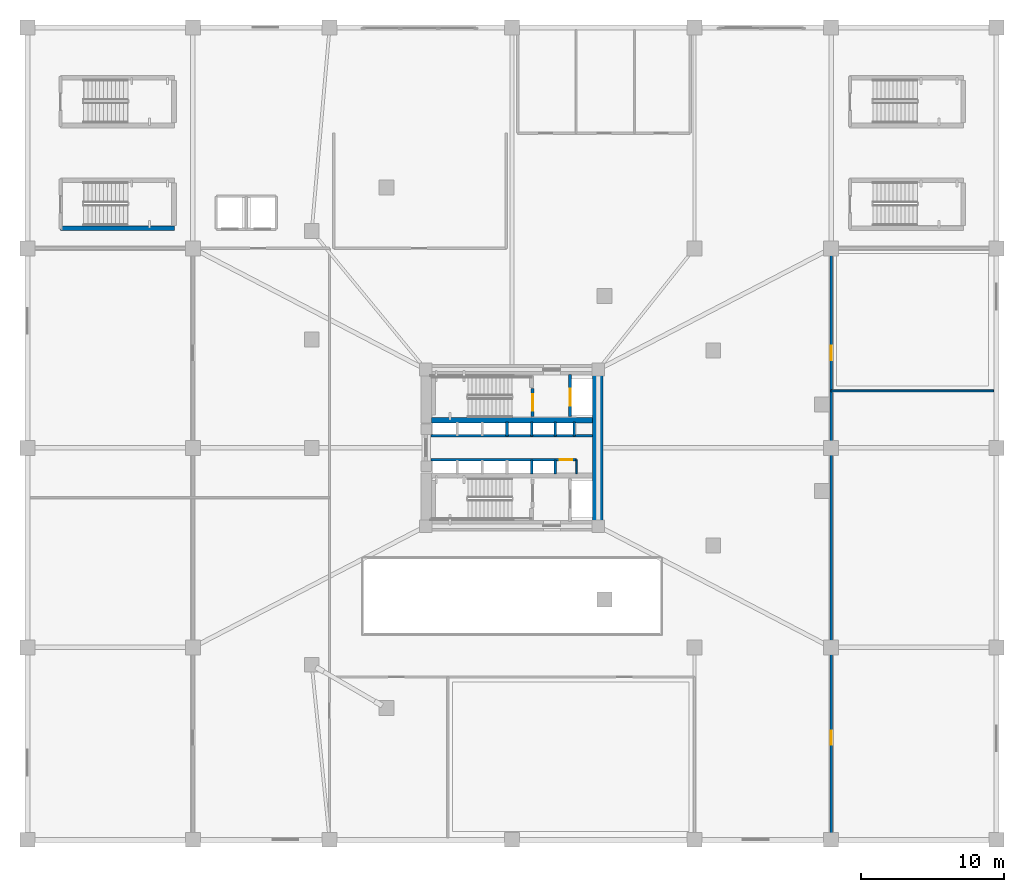
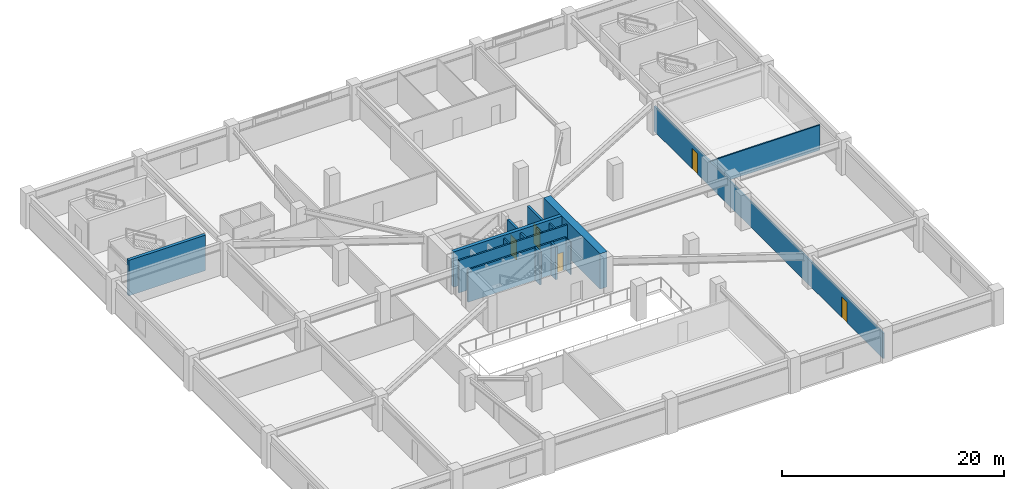
# One storey, part 5 of 15: 16 walls, 5 doors, 5 openings.
"""IFC4 building model written with IfcOpenShell, lengths in metres."""

from ifc_helpers import new_model, si_unit, direction, frame, frame_2d, origin, place, context, subcontext, project, spatial, rectangle, extrude, material, layer, layer_set, type_object, element, fill, save


model = new_model("IFC4")

# Units and contexts
model_context = context("Model", 3, precision=1e-05, world=origin(), true_north=direction((0.0, 1.0)))
body_context = subcontext(model_context, "Body", "Model", "MODEL_VIEW")
ifc_project = project(units=[si_unit("LENGTHUNIT", "METRE"), si_unit("AREAUNIT", "SQUARE_METRE"), si_unit("VOLUMEUNIT", "CUBIC_METRE"), si_unit("PLANEANGLEUNIT", "RADIAN"), si_unit("MASSUNIT", "GRAM", prefix="KILO")], contexts=[model_context])

# Site, building, storey
site_placement = place(None, origin())
site = spatial("IfcSite", under=ifc_project, at=site_placement, CompositionType="ELEMENT")
building_placement = place(site_placement, origin())
building = spatial("IfcBuilding", under=site, at=building_placement, Name="Yunling Apex Tower", CompositionType="ELEMENT")
storey_placement = place(building_placement, frame((0.0, 0.0, 12.300048828125)))
storey = spatial("IfcBuildingStorey", under=building, at=storey_placement, Name="L04", CompositionType="ELEMENT", Elevation=12.300048828125)

# Walls
ifc_material_1 = material(Name="Concrete C60", Category="concrete")
ifc_layer_1 = layer(ifc_material_1, 0.75)
ifc_layer_set_1 = layer_set([ifc_layer_1], Name="Concrete C60")
wall_type_1 = type_object("IfcWallType", Name="WL-COR-1", PredefinedType="SHEAR", material=ifc_layer_set_1)
wall_1_placement = place(storey_placement, frame((6.02490234375, -5.10009765625, 0.0), z_axis=(0.0, 0.0, 1.0), x_axis=(0.0, 1.0, 0.0)))
element("IfcWall", 1, at=wall_1_placement, inside=storey, type_object=wall_type_1, Name="L04 East Core Shear Wall", PredefinedType="SHEAR", context=body_context, shape_type="SweptSolid", body=[
    extrude(rectangle(XDim=10.2001953125, YDim=0.75, at=frame_2d((5.10009765625, 0.0))), origin(), (0.0, 0.0, 1.0), 3.89990234375),
])
ifc_material_2 = material(Name="Concrete C40", Category="concrete")
ifc_layer_2 = layer(ifc_material_2, 0.360107421875)
ifc_layer_set_2 = layer_set([ifc_layer_2], Name="Concrete C40")
wall_type_2 = type_object("IfcWallType", Name="WL-COR-4", PredefinedType="SHEAR", material=ifc_layer_set_2)
wall_2_placement = place(storey_placement, frame((-5.64990234375, 1.93994140625, 0.0), z_axis=(0.0, 0.0, 1.0), x_axis=(1.0, 0.0, 0.0)))
element("IfcWall", 2, at=wall_2_placement, inside=storey, type_object=wall_type_2, Name="L04 North Internal Core Shear Wall", PredefinedType="SHEAR", context=body_context, shape_type="SweptSolid", body=[
    extrude(rectangle(XDim=11.2998046875, YDim=0.360107421875, at=frame_2d((5.64990234375, 0.0))), origin(), (0.0, 0.0, 1.0), 3.89990234375),
])
ifc_layer_3 = layer(ifc_material_2, 0.320068359375)
ifc_layer_set_3 = layer_set([ifc_layer_3], Name="Concrete C40")
wall_type_3 = type_object("IfcWallType", Name="WL-COR-7", PredefinedType="SHEAR", material=ifc_layer_set_3)
wall_3_placement = place(storey_placement, frame((-31.699951171875, 15.419921875, 0.0), z_axis=(0.0, 0.0, 1.0), x_axis=(1.0, 0.0, 0.0)))
element("IfcWall", 3, at=wall_3_placement, inside=storey, type_object=wall_type_3, Name="L04 STP1 South Bearing Wall", PredefinedType="SHEAR", context=body_context, shape_type="SweptSolid", body=[
    extrude(rectangle(XDim=8.0, YDim=0.320068359375, at=frame_2d((4.0, 0.0))), origin(), (0.0, 0.0, 1.0), 3.89990234375),
])

# Wall, openings, doors
ifc_material_3 = material(Name="Gypsum board acoustic partition")
ifc_layer_4 = layer(ifc_material_3, 0.159912109375)
ifc_layer_set_4 = layer_set([ifc_layer_4], Name="Gypsum board acoustic partition")
wall_type_4 = type_object("IfcWallType", Name="WL-PRT-1", PredefinedType="PARTITIONING", material=ifc_layer_set_4)
wall_4_placement = place(storey_placement, frame((22.39990234375, -27.35009765625, 0.0), z_axis=(0.0, 0.0, 1.0), x_axis=(0.0, 1.0, 0.0)))
wall_4 = element("IfcWall", 4, at=wall_4_placement, inside=storey, type_object=wall_type_4, Name="WL-L04-EW", PredefinedType="PARTITIONING", context=body_context, shape_type="SweptSolid", body=[
    extrude(rectangle(XDim=41.35009765625, YDim=0.159912109375, at=frame_2d((20.675048828125, 0.0))), origin(), (0.0, 0.0, 1.0), 2.77490234375),
])
opening_1_placement = place(wall_4_placement, frame((6.5, 0.0, 0.0)))
opening_1 = element("IfcOpeningElement", 5, at=opening_1_placement, cuts=wall_4, Name="Opening DR-OFF-1", PredefinedType="OPENING", context=body_context, shape_type="SweptSolid", body=[
    extrude(rectangle(XDim=1.0, YDim=2.25, at=frame_2d((0.5, 1.125))), frame((0.0, 0.08984375, 0.0), z_axis=(0.0, -1.0, 0.0), x_axis=(1.0, 0.0, 0.0)), (0.0, 0.0, 1.0), 0.179931640625),
])
opening_2_placement = place(wall_4_placement, frame((33.5, 0.0, 0.0)))
opening_2 = element("IfcOpeningElement", 6, at=opening_2_placement, cuts=wall_4, Name="Opening DR-OFF-1", PredefinedType="OPENING", context=body_context, shape_type="SweptSolid", body=[
    extrude(rectangle(XDim=1.0, YDim=2.25, at=frame_2d((0.5, 1.125))), frame((0.0, 0.08984375, 0.0), z_axis=(0.0, -1.0, 0.0), x_axis=(1.0, 0.0, 0.0)), (0.0, 0.0, 1.0), 0.179931640625),
])
ifc_material_4 = material(Name="Bronze anodised aluminium", Category="aluminium")
door_type_1 = type_object("IfcDoorType", Name="DR-OFF-1", OperationType="NOTDEFINED", PredefinedType="DOOR", material=ifc_material_4)
door_1_placement = place(opening_1_placement, origin())
door_1 = element("IfcDoor", 7, at=door_1_placement, inside=storey, type_object=door_type_1, Name="L04 Breakout Meeting Room Door", OperationType="SINGLE_SWING_RIGHT", OverallHeight=2.25, OverallWidth=1.0, PredefinedType="DOOR", context=body_context, shape_type="SweptSolid", body=[
    extrude(rectangle(XDim=1.0, YDim=2.25, at=frame_2d((0.5, 1.125))), frame((0.0, 0.02490234375, 0.0), z_axis=(0.0, -1.0, 0.0), x_axis=(1.0, 0.0, 0.0)), (0.0, 0.0, 1.0), 0.050048828125),
])
fill(opening_1, door_1)
door_2_placement = place(opening_2_placement, origin())
door_2 = element("IfcDoor", 8, at=door_2_placement, inside=storey, type_object=door_type_1, Name="L04 Training Classroom Door", OperationType="SINGLE_SWING_LEFT", OverallHeight=2.25, OverallWidth=1.0, PredefinedType="DOOR", context=body_context, shape_type="SweptSolid", body=[
    extrude(rectangle(XDim=1.0, YDim=2.25, at=frame_2d((0.5, 1.125))), frame((0.0, 0.02490234375, 0.0), z_axis=(0.0, -1.0, 0.0), x_axis=(1.0, 0.0, 0.0)), (0.0, 0.0, 1.0), 0.050048828125),
])
fill(opening_2, door_2)

# Walls
ifc_layer_5 = layer(ifc_material_3, 0.139892578125)
ifc_layer_set_5 = layer_set([ifc_layer_5], Name="Gypsum board acoustic partition")
wall_type_5 = type_object("IfcWallType", Name="WL-PRT-2", PredefinedType="PARTITIONING", material=ifc_layer_set_5)
wall_5_placement = place(storey_placement, frame((22.39990234375, 4.0, 0.0), z_axis=(0.0, 0.0, 1.0), x_axis=(1.0, 0.0, 0.0)))
element("IfcWall", 9, at=wall_5_placement, inside=storey, type_object=wall_type_5, Name="WL-L04-EM", PredefinedType="PARTITIONING", context=body_context, shape_type="SweptSolid", body=[
    extrude(rectangle(XDim=11.400146484375, YDim=0.139892578125, at=frame_2d((5.7001953125, 0.0))), origin(), (0.0, 0.0, 1.0), 2.77490234375),
])
ifc_layer_6 = layer(ifc_material_3, 0.10009765625)
ifc_layer_set_6 = layer_set([ifc_layer_6], Name="Gypsum board acoustic partition")
wall_type_6 = type_object("IfcWallType", Name="WL-PRT-4", PredefinedType="PARTITIONING", material=ifc_layer_set_6)
wall_6_placement = place(storey_placement, frame((4.5400390625, -1.820068359375, 0.0), z_axis=(0.0, 0.0, 1.0), x_axis=(0.0, 1.0, 0.0)))
element("IfcWall", 10, at=wall_6_placement, inside=storey, type_object=wall_type_6, Name="WL-KASE-E-L04", PredefinedType="PARTITIONING", context=body_context, shape_type="SweptSolid", body=[
    extrude(rectangle(XDim=0.97998046875, YDim=0.10009765625, at=frame_2d((0.489990234375, 0.0))), origin(), (0.0, 0.0, 1.0), 3.570068359375),
])

# Wall, opening, door
ifc_material_5 = material(Name="Autoclaved aerated concrete masonry", Category="masonry")
ifc_layer_7 = layer(ifc_material_5, 0.219970703125)
ifc_layer_set_7 = layer_set([ifc_layer_7], Name="Autoclaved aerated concrete masonry")
wall_type_7 = type_object("IfcWallType", Name="WL-SHF-1", PredefinedType="PLUMBINGWALL", material=ifc_layer_set_7)
wall_7_placement = place(storey_placement, frame((1.449951171875, 2.199951171875, 0.0), z_axis=(0.0, 0.0, 1.0), x_axis=(0.0, 1.0, 0.0)))
wall_7 = element("IfcWall", 11, at=wall_7_placement, inside=storey, type_object=wall_type_7, Name="WL-ST1-E-L04", PredefinedType="PLUMBINGWALL", context=body_context, shape_type="SweptSolid", body=[
    extrude(rectangle(XDim=1.97998046875, YDim=0.219970703125, at=frame_2d((0.989990234375, 0.0))), origin(), (0.0, 0.0, 1.0), 3.570068359375),
])
opening_3_placement = place(wall_7_placement, frame((0.419921875, 0.0, 0.0)))
opening_3 = element("IfcOpeningElement", 12, at=opening_3_placement, cuts=wall_7, Name="Opening DR-ST-1", PredefinedType="OPENING", context=body_context, shape_type="SweptSolid", body=[
    extrude(rectangle(XDim=1.14990234375, YDim=2.14990234375, at=frame_2d((0.574951171875, 1.074951171875))), frame((0.0, 0.1201171875, 0.0), z_axis=(0.0, -1.0, 0.0), x_axis=(1.0, 0.0, 0.0)), (0.0, 0.0, 1.0), 0.239990234375),
])
ifc_material_6 = material(Name="Steel Q355B", Category="steel")
door_type_2 = type_object("IfcDoorType", Name="DR-ST-1", OperationType="NOTDEFINED", PredefinedType="DOOR", material=ifc_material_6)
door_3_placement = place(opening_3_placement, origin())
door_3 = element("IfcDoor", 13, at=door_3_placement, inside=storey, type_object=door_type_2, Name="L04 Stair ST-1 Fire Door", OperationType="SINGLE_SWING_RIGHT", OverallHeight=2.14990234375, OverallWidth=1.14990234375, PredefinedType="DOOR", context=body_context, shape_type="SweptSolid", body=[
    extrude(rectangle(XDim=1.14990234375, YDim=2.14990234375, at=frame_2d((0.574951171875, 1.074951171875))), frame((0.0, 0.02490234375, 0.0), z_axis=(0.0, -1.0, 0.0), x_axis=(1.0, 0.0, 0.0)), (0.0, 0.0, 1.0), 0.050048828125),
])
fill(opening_3, door_3)

wall_8_placement = place(storey_placement, frame((4.080078125, 2.199951171875, 0.0), z_axis=(0.0, 0.0, 1.0), x_axis=(0.0, 1.0, 0.0)))
wall_8 = element("IfcWall", 14, at=wall_8_placement, inside=storey, type_object=wall_type_7, Name="WL-FFL1-W-L04", PredefinedType="PLUMBINGWALL", context=body_context, shape_type="SweptSolid", body=[
    extrude(rectangle(XDim=2.949951171875, YDim=0.219970703125, at=frame_2d((1.47509765625, 0.0))), origin(), (0.0, 0.0, 1.0), 3.570068359375),
])
opening_4_placement = place(wall_8_placement, frame((0.75, 0.0, 0.0)))
opening_4 = element("IfcOpeningElement", 15, at=opening_4_placement, cuts=wall_8, Name="Opening LD-FFL-1", PredefinedType="OPENING", context=body_context, shape_type="SweptSolid", body=[
    extrude(rectangle(XDim=1.199951171875, YDim=2.25, at=frame_2d((0.60009765625, 1.125))), frame((0.0, 0.1201171875, 0.0), z_axis=(0.0, -1.0, 0.0), x_axis=(1.0, 0.0, 0.0)), (0.0, 0.0, 1.0), 0.239990234375),
])
door_type_3 = type_object("IfcDoorType", Name="LD-FFL-1", OperationType="DOUBLE_DOOR_SLIDING", PredefinedType="DOOR", material=ifc_material_6)
door_4_placement = place(opening_4_placement, origin())
door_4 = element("IfcDoor", 16, at=door_4_placement, inside=storey, type_object=door_type_3, Name="L04 Lift FFL-1 Landing Door", OperationType="DOUBLE_DOOR_SLIDING", OverallHeight=2.25, OverallWidth=1.199951171875, PredefinedType="DOOR", context=body_context, shape_type="SweptSolid", body=[
    extrude(rectangle(XDim=1.199951171875, YDim=2.25, at=frame_2d((0.60009765625, 1.125))), frame((0.0, 0.02490234375, 0.0), z_axis=(0.0, -1.0, 0.0), x_axis=(1.0, 0.0, 0.0)), (0.0, 0.0, 1.0), 0.050048828125),
])
fill(opening_4, door_4)

# Walls
ifc_layer_8 = layer(ifc_material_5, 0.179931640625)
ifc_layer_set_8 = layer_set([ifc_layer_8], Name="Autoclaved aerated concrete masonry")
wall_type_8 = type_object("IfcWallType", Name="WL-SHF-2", PredefinedType="PLUMBINGWALL", material=ifc_layer_set_8)
for number, where, z_axis, x_axis, name in (
    (17, (-0.35009765625, 0.840087890625, 0.0), (0.0, 0.0, 1.0), (0.0, 1.0, 0.0), "WL-DIV-M12-L04"),
    (18, (1.3798828125, 0.840087890625, 0.0), (0.0, 0.0, 1.0), (0.0, 1.0, 0.0), "WL-BNK-MH-N-L04"),
    (19, (1.3798828125, -1.820068359375, 0.0), (0.0, 0.0, 1.0), (0.0, 1.0, 0.0), "WL-BNK-MH-S-L04"),
    (20, (3.02001953125, 0.840087890625, 0.0), (0.0, 0.0, 1.0), (0.0, 1.0, 0.0), "WL-DIV-H13-L04"),
    (21, (4.3798828125, 0.840087890625, 0.0), (0.0, 0.0, 1.0), (0.0, 1.0, 0.0), "WL-END-H3E-L04"),
    (22, (3.02001953125, -1.820068359375, 0.0), (0.0, 0.0, 1.0), (0.0, 1.0, 0.0), "WL-END-H2E-L04"),
):
    element("IfcWall", number, at=place(storey_placement, frame(where, z_axis=z_axis, x_axis=x_axis)), inside=storey, type_object=wall_type_8, Name=name, PredefinedType="PLUMBINGWALL", context=body_context, shape_type="SweptSolid", body=[
        extrude(rectangle(XDim=0.97998046875, YDim=0.179931640625, at=frame_2d((0.489990234375, 0.0))), origin(), (0.0, 0.0, 1.0), 3.570068359375),
    ])
wall_9_placement = place(storey_placement, frame((-5.679931640625, 0.840087890625, 0.0), z_axis=(0.0, 0.0, 1.0), x_axis=(1.0, 0.0, 0.0)))
element("IfcWall", 23, at=wall_9_placement, inside=storey, type_object=wall_type_8, Name="WL-LOB-N-L04", PredefinedType="PLUMBINGWALL", context=body_context, shape_type="SweptSolid", body=[
    extrude(rectangle(XDim=11.329833984375, YDim=0.179931640625, at=frame_2d((5.6650390625, 0.0))), origin(), (0.0, 0.0, 1.0), 3.570068359375),
])

# Wall, opening, door
wall_10_placement = place(storey_placement, frame((-5.679931640625, -0.840087890625, 0.0), z_axis=(0.0, 0.0, 1.0), x_axis=(1.0, 0.0, 0.0)))
wall_10 = element("IfcWall", 24, at=wall_10_placement, inside=storey, type_object=wall_type_8, Name="WL-LOB-S-L04", PredefinedType="PLUMBINGWALL", context=body_context, shape_type="SweptSolid", body=[
    extrude(rectangle(XDim=10.219970703125, YDim=0.179931640625, at=frame_2d((5.10986328125, 0.0))), origin(), (0.0, 0.0, 1.0), 3.570068359375),
])
opening_5_placement = place(wall_10_placement, frame((9.02001953125, 0.0, 0.0)))
opening_5 = element("IfcOpeningElement", 25, at=opening_5_placement, cuts=wall_10, Name="Opening DR-SHF-1", PredefinedType="OPENING", context=body_context, shape_type="SweptSolid", body=[
    extrude(rectangle(XDim=0.89990234375, YDim=2.050048828125, at=frame_2d((0.449951171875, 1.02490234375))), frame((0.0, 0.10009765625, 0.0), z_axis=(0.0, -1.0, 0.0), x_axis=(1.0, 0.0, 0.0)), (0.0, 0.0, 1.0), 0.199951171875),
])
door_type_4 = type_object("IfcDoorType", Name="DR-SHF-1", OperationType="NOTDEFINED", PredefinedType="DOOR", material=ifc_material_6)
door_5_placement = place(opening_5_placement, origin())
door_5 = element("IfcDoor", 26, at=door_5_placement, inside=storey, type_object=door_type_4, Name="L04 Core Electrical Room Door", OperationType="SINGLE_SWING_RIGHT", OverallHeight=2.050048828125, OverallWidth=0.89990234375, PredefinedType="DOOR", context=body_context, shape_type="SweptSolid", body=[
    extrude(rectangle(XDim=0.89990234375, YDim=2.050048828125, at=frame_2d((0.449951171875, 1.02490234375))), frame((0.0, 0.02490234375, 0.0), z_axis=(0.0, -1.0, 0.0), x_axis=(1.0, 0.0, 0.0)), (0.0, 0.0, 1.0), 0.050048828125),
])
fill(opening_5, door_5)

save(model, "model.ifc")
